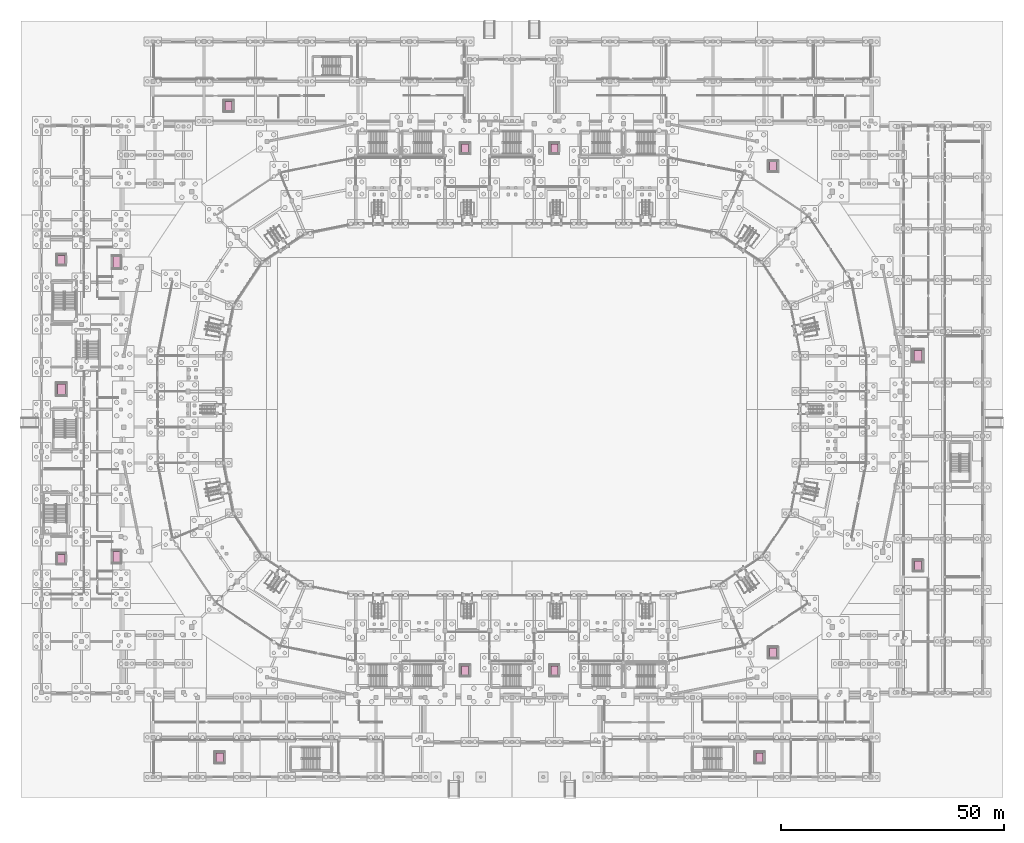
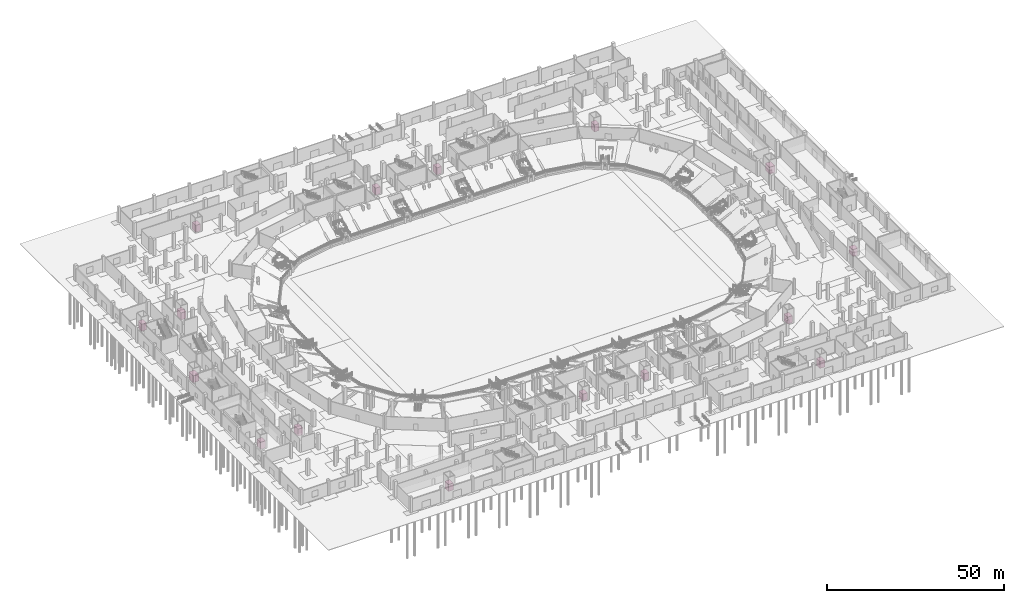
# One storey, part 68 of 68: 16 transport elements.
"""IFC4 building model written with IfcOpenShell, lengths in metres."""

from ifc_helpers import new_model, si_unit, direction, frame, origin, origin_2d, place, context, subcontext, project, spatial, rectangle, extrude, material, type_object, element, save


model = new_model("IFC4")

# Units and contexts
model_context = context("Model", 3, precision=1e-05, world=origin(), true_north=direction((0.0, 1.0)))
body_context = subcontext(model_context, "Body", "Model", "MODEL_VIEW")
ifc_project = project(units=[si_unit("LENGTHUNIT", "METRE"), si_unit("AREAUNIT", "SQUARE_METRE"), si_unit("VOLUMEUNIT", "CUBIC_METRE"), si_unit("PLANEANGLEUNIT", "RADIAN"), si_unit("MASSUNIT", "GRAM", prefix="KILO")], contexts=[model_context])

# Site, building, storey
site_placement = place(None, origin())
site = spatial("IfcSite", under=ifc_project, at=site_placement, CompositionType="ELEMENT")
building_placement = place(site_placement, origin())
building = spatial("IfcBuilding", under=site, at=building_placement, Name="Candeia Ridge Stadium", CompositionType="ELEMENT")
storey_placement = place(building_placement, origin())
storey = spatial("IfcBuildingStorey", under=building, at=storey_placement, Name="L00", CompositionType="ELEMENT", Elevation=0.0)

# Transport elements
ifc_material = material(Name="Brushed Stainless Steel", Category="steel")
transport_element_type_1 = type_object("IfcTransportElementType", Name="Firefighting Stretcher Lift 2000kg", PredefinedType="ELEVATOR", material=ifc_material)
for number, where, z_axis, x_axis, name in (
    (1, (17.39990234375, 50.0, 0.0), (0.0, 0.0, 1.0), (1.0, 0.0, 0.0), "Vertical transport lift FF1"),
    (2, (17.39990234375, 116.0, 0.0), (0.0, 0.0, 1.0), (1.0, 0.0, 0.0), "Vertical transport lift FF2"),
):
    element("IfcTransportElement", number, at=place(storey_placement, frame(where, z_axis=z_axis, x_axis=x_axis)), inside=storey, type_object=transport_element_type_1, Name=name, PredefinedType="ELEVATOR", context=body_context, shape_type="SweptSolid", body=[
        extrude(rectangle(XDim=1.60009765625, YDim=2.39990234375, at=origin_2d()), origin(), (0.0, 0.0, 1.0), 2.39990234375),
    ])
transport_element_type_2 = type_object("IfcTransportElementType", Name="Goods & Catering Lift 2500kg", PredefinedType="ELEVATOR", material=ifc_material)
for number, where, z_axis, x_axis, name in (
    (3, (5.0, 87.5, 0.0), (0.0, 0.0, 1.0), (1.0, 0.0, 0.0), "Vertical transport lift GL1"),
    (4, (197.0, 95.0, 0.0), (0.0, 0.0, 1.0), (1.0, 0.0, 0.0), "Vertical transport lift GL2"),
):
    element("IfcTransportElement", number, at=place(storey_placement, frame(where, z_axis=z_axis, x_axis=x_axis)), inside=storey, type_object=transport_element_type_2, Name=name, PredefinedType="ELEVATOR", context=body_context, shape_type="SweptSolid", body=[
        extrude(rectangle(XDim=1.800048828125, YDim=2.39990234375, at=origin_2d()), origin(), (0.0, 0.0, 1.0), 2.39990234375),
    ])
transport_element_type_3 = type_object("IfcTransportElementType", Name="Passenger Traction Lift 1600kg", PredefinedType="ELEVATOR", material=ifc_material)
for number, where, z_axis, x_axis, name in (
    (5, (164.5, 28.5, 0.0), (0.0, 0.0, 1.0), (1.0, 0.0, 0.0), "Vertical transport lift EL1"),
    (6, (164.5, 137.5, 0.0), (0.0, 0.0, 1.0), (1.0, 0.0, 0.0), "Vertical transport lift EL2"),
    (7, (5.0, 49.5, 0.0), (0.0, 0.0, 1.0), (1.0, 0.0, 0.0), "Vertical transport lift VL1"),
    (8, (5.0, 116.5, 0.0), (0.0, 0.0, 1.0), (1.0, 0.0, 0.0), "Vertical transport lift VL2"),
    (9, (95.5, 141.5, 0.0), (0.0, 0.0, 1.0), (1.0, 0.0, 0.0), "Vertical transport lift PL1"),
    (10, (115.5, 141.5, 0.0), (0.0, 0.0, 1.0), (1.0, 0.0, 0.0), "Vertical transport lift PL2"),
    (11, (95.5, 24.5, 0.0), (0.0, 0.0, 1.0), (1.0, 0.0, 0.0), "Vertical transport lift PL3"),
    (12, (115.5, 24.5, 0.0), (0.0, 0.0, 1.0), (1.0, 0.0, 0.0), "Vertical transport lift PL4"),
    (13, (40.5, 5.0, 0.0), (0.0, 0.0, 1.0), (1.0, 0.0, 0.0), "Vertical transport lift PL5"),
    (14, (161.5, 5.0, 0.0), (0.0, 0.0, 1.0), (1.0, 0.0, 0.0), "Vertical transport lift PL6"),
    (15, (42.5, 151.0, 0.0), (0.0, 0.0, 1.0), (1.0, 0.0, 0.0), "Vertical transport lift PL7"),
    (16, (197.0, 48.0, 0.0), (0.0, 0.0, 1.0), (1.0, 0.0, 0.0), "Vertical transport lift PL8"),
):
    element("IfcTransportElement", number, at=place(storey_placement, frame(where, z_axis=z_axis, x_axis=x_axis)), inside=storey, type_object=transport_element_type_3, Name=name, PredefinedType="ELEVATOR", context=body_context, shape_type="SweptSolid", body=[
        extrude(rectangle(XDim=1.60009765625, YDim=2.0, at=origin_2d()), origin(), (0.0, 0.0, 1.0), 2.39990234375),
    ])

save(model, "model.ifc")
